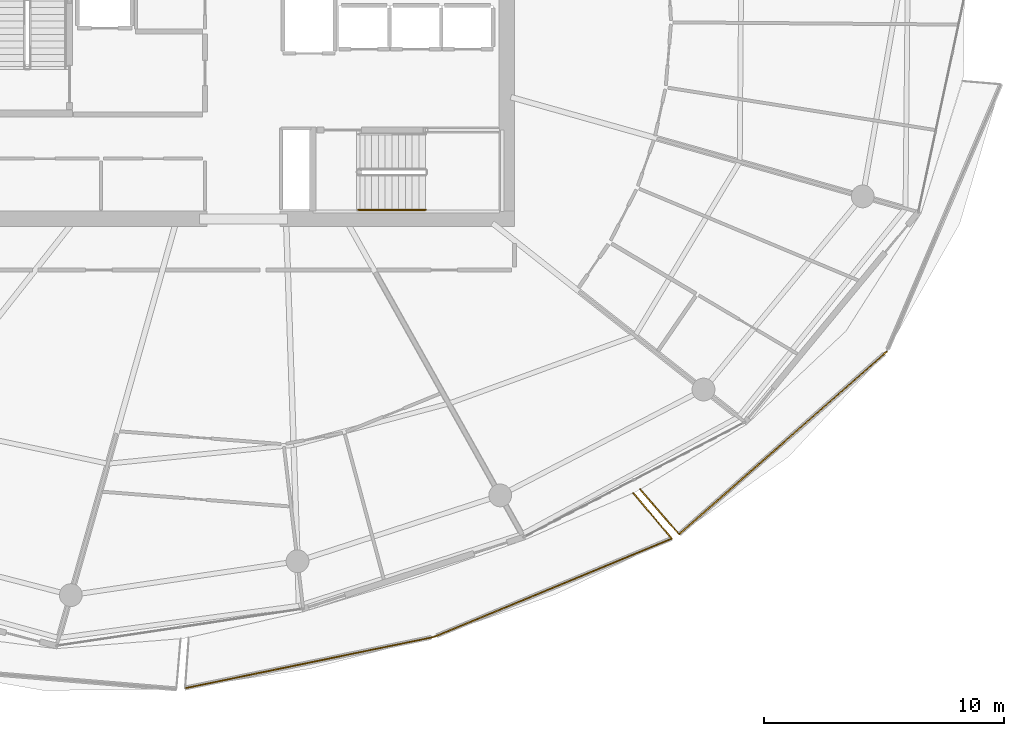
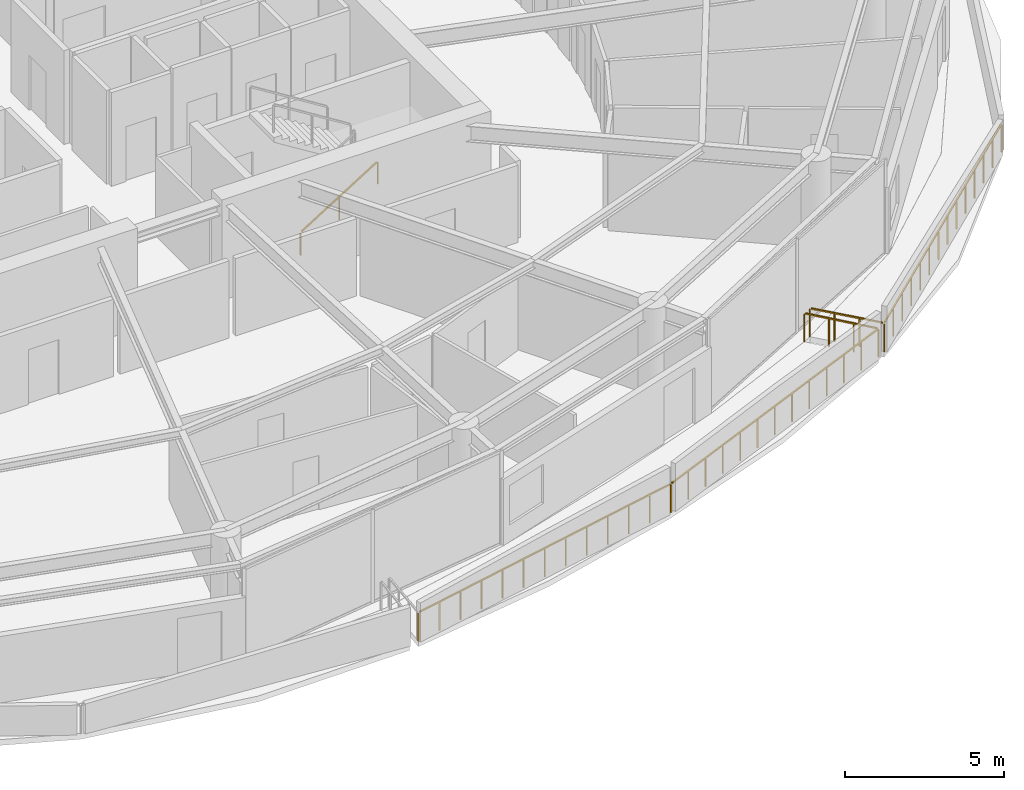
# One storey, part 27 of 31: 6 railings.
"""IFC4 building model written with IfcOpenShell, lengths in metres."""

from ifc_helpers import new_model, si_unit, direction, frame, origin, origin_2d, place, context, subcontext, project, spatial, rectangle, extrude, material, type_object, element, save


model = new_model("IFC4")

# Units and contexts
model_context = context("Model", 3, precision=1e-05, world=origin(), true_north=direction((0.0, 1.0)))
body_context = subcontext(model_context, "Body", "Model", "MODEL_VIEW")
ifc_project = project(units=[si_unit("LENGTHUNIT", "METRE"), si_unit("AREAUNIT", "SQUARE_METRE"), si_unit("VOLUMEUNIT", "CUBIC_METRE"), si_unit("PLANEANGLEUNIT", "RADIAN"), si_unit("MASSUNIT", "GRAM", prefix="KILO")], contexts=[model_context])

# Site, building, storey
site_placement = place(None, origin())
site = spatial("IfcSite", under=ifc_project, at=site_placement, CompositionType="ELEMENT")
building_placement = place(site_placement, origin())
building = spatial("IfcBuilding", under=site, at=building_placement, Name="Kazma Halo Residences", CompositionType="ELEMENT")
storey_placement = place(building_placement, frame((0.0, 0.0, 259.800048828125)))
storey = spatial("IfcBuildingStorey", under=building, at=storey_placement, Name="L65", CompositionType="ELEMENT", Elevation=259.800048828125)

# Railings
ifc_material_1 = material(Name="Aluminium AW-6063 T6 Brushed Cap Rail", Category="aluminium")
railing_type_1 = type_object("IfcRailingType", Name="RLG-BAL-CAP-1120", PredefinedType="BALUSTRADE", material=ifc_material_1)
railing_1_placement = place(storey_placement, frame((45.97900390625, 14.14453125, 0.0)))
element("IfcRailing", 1, at=railing_1_placement, inside=storey, type_object=railing_type_1, Name="L65 SSE wave balcony guard 2", PredefinedType="BALUSTRADE", context=body_context, shape_type="SweptSolid", body=[
    extrude(rectangle(XDim=0.050048828125, YDim=0.050048828125, at=origin_2d()), frame((0.041748046875, 0.008544921875, 1.09521484375), z_axis=(0.979468151895, 0.2015989569, 0.0), x_axis=(-0.2015989569, 0.979468151895, 0.0)), (0.0, 0.0, 1.0), 10.51025390625),
    extrude(rectangle(XDim=0.0400390625, YDim=0.0400390625, at=origin_2d()), origin(), (0.0, 0.0, 1.0), 1.05810546875),
    extrude(rectangle(XDim=0.0400390625, YDim=0.0400390625, at=origin_2d()), frame((0.86474609375, 0.177978515625, 0.0)), (0.0, 0.0, 1.0), 1.05810546875),
    extrude(rectangle(XDim=0.0400390625, YDim=0.0400390625, at=origin_2d()), frame((1.7294921875, 0.35595703125, 0.0)), (0.0, 0.0, 1.0), 1.05810546875),
    extrude(rectangle(XDim=0.0400390625, YDim=0.0400390625, at=origin_2d()), frame((2.594482421875, 0.533935546875, 0.0)), (0.0, 0.0, 1.0), 1.05810546875),
    extrude(rectangle(XDim=0.0400390625, YDim=0.0400390625, at=origin_2d()), frame((3.459228515625, 0.7119140625, 0.0)), (0.0, 0.0, 1.0), 1.05810546875),
    extrude(rectangle(XDim=0.0400390625, YDim=0.0400390625, at=origin_2d()), frame((4.323974609375, 0.889892578125, 0.0)), (0.0, 0.0, 1.0), 1.05810546875),
    extrude(rectangle(XDim=0.0400390625, YDim=0.0400390625, at=origin_2d()), frame((5.18896484375, 1.06787109375, 0.0)), (0.0, 0.0, 1.0), 1.05810546875),
    extrude(rectangle(XDim=0.0400390625, YDim=0.0400390625, at=origin_2d()), frame((6.0537109375, 1.24609375, 0.0)), (0.0, 0.0, 1.0), 1.05810546875),
    extrude(rectangle(XDim=0.0400390625, YDim=0.0400390625, at=origin_2d()), frame((6.91845703125, 1.424072265625, 0.0)), (0.0, 0.0, 1.0), 1.05810546875),
    extrude(rectangle(XDim=0.0400390625, YDim=0.0400390625, at=origin_2d()), frame((7.783203125, 1.60205078125, 0.0)), (0.0, 0.0, 1.0), 1.05810546875),
    extrude(rectangle(XDim=0.0400390625, YDim=0.0400390625, at=origin_2d()), frame((8.64794921875, 1.780029296875, 0.0)), (0.0, 0.0, 1.0), 1.05810546875),
    extrude(rectangle(XDim=0.0400390625, YDim=0.0400390625, at=origin_2d()), frame((9.512939453125, 1.9580078125, 0.0)), (0.0, 0.0, 1.0), 1.05810546875),
    extrude(rectangle(XDim=0.0400390625, YDim=0.0400390625, at=origin_2d()), frame((10.377685546875, 2.135986328125, 0.0)), (0.0, 0.0, 1.0), 1.05810546875),
])
railing_2_placement = place(storey_placement, frame((56.356689453125, 16.280517578125, 0.0)))
element("IfcRailing", 2, at=railing_2_placement, inside=storey, type_object=railing_type_1, Name="L65 SSE wave balcony guard 3", PredefinedType="BALUSTRADE", context=body_context, shape_type="SweptSolid", body=[
    extrude(rectangle(XDim=0.050048828125, YDim=0.050048828125, at=origin_2d()), frame((0.039306640625, 0.016357421875, 1.09521484375), z_axis=(0.923952054483, 0.382508301892, 0.0), x_axis=(-0.382508301892, 0.923952054483, 0.0)), (0.0, 0.0, 1.0), 10.615478515625),
    extrude(rectangle(XDim=0.0400390625, YDim=0.0400390625, at=origin_2d()), origin(), (0.0, 0.0, 1.0), 1.05810546875),
    extrude(rectangle(XDim=0.0400390625, YDim=0.0400390625, at=origin_2d()), frame((0.823974609375, 0.341064453125, 0.0)), (0.0, 0.0, 1.0), 1.05810546875),
    extrude(rectangle(XDim=0.0400390625, YDim=0.0400390625, at=origin_2d()), frame((1.647705078125, 0.68212890625, 0.0)), (0.0, 0.0, 1.0), 1.05810546875),
    extrude(rectangle(XDim=0.0400390625, YDim=0.0400390625, at=origin_2d()), frame((2.4716796875, 1.023193359375, 0.0)), (0.0, 0.0, 1.0), 1.05810546875),
    extrude(rectangle(XDim=0.0400390625, YDim=0.0400390625, at=origin_2d()), frame((3.295654296875, 1.3642578125, 0.0)), (0.0, 0.0, 1.0), 1.05810546875),
    extrude(rectangle(XDim=0.0400390625, YDim=0.0400390625, at=origin_2d()), frame((4.119384765625, 1.705322265625, 0.0)), (0.0, 0.0, 1.0), 1.05810546875),
    extrude(rectangle(XDim=0.0400390625, YDim=0.0400390625, at=origin_2d()), frame((4.943359375, 2.04638671875, 0.0)), (0.0, 0.0, 1.0), 1.05810546875),
    extrude(rectangle(XDim=0.0400390625, YDim=0.0400390625, at=origin_2d()), frame((5.767333984375, 2.3876953125, 0.0)), (0.0, 0.0, 1.0), 1.05810546875),
    extrude(rectangle(XDim=0.0400390625, YDim=0.0400390625, at=origin_2d()), frame((6.591064453125, 2.728759765625, 0.0)), (0.0, 0.0, 1.0), 1.05810546875),
    extrude(rectangle(XDim=0.0400390625, YDim=0.0400390625, at=origin_2d()), frame((7.4150390625, 3.06982421875, 0.0)), (0.0, 0.0, 1.0), 1.05810546875),
    extrude(rectangle(XDim=0.0400390625, YDim=0.0400390625, at=origin_2d()), frame((8.239013671875, 3.410888671875, 0.0)), (0.0, 0.0, 1.0), 1.05810546875),
    extrude(rectangle(XDim=0.0400390625, YDim=0.0400390625, at=origin_2d()), frame((9.062744140625, 3.751953125, 0.0)), (0.0, 0.0, 1.0), 1.05810546875),
    extrude(rectangle(XDim=0.0400390625, YDim=0.0400390625, at=origin_2d()), frame((9.88671875, 4.093017578125, 0.0)), (0.0, 0.0, 1.0), 1.05810546875),
])
railing_3_placement = place(storey_placement, frame((66.243408203125, 20.37353515625, 0.0)))
element("IfcRailing", 3, at=railing_3_placement, inside=storey, type_object=railing_type_1, Name="L65 SSE wave balcony guard 4", PredefinedType="BALUSTRADE", context=body_context, shape_type="SweptSolid", body=[
    extrude(rectangle(XDim=0.050048828125, YDim=0.050048828125, at=origin_2d()), frame((-0.02734375, 0.032470703125, 1.09521484375), z_axis=(-0.644811625636, 0.764341525396, 0.0), x_axis=(-0.764341525396, -0.644811625636, 0.0)), (0.0, 0.0, 1.0), 2.39453125),
    extrude(rectangle(XDim=0.0400390625, YDim=0.0400390625, at=origin_2d()), origin(), (0.0, 0.0, 1.0), 1.05810546875),
    extrude(rectangle(XDim=0.0400390625, YDim=0.0400390625, at=origin_2d()), frame((-0.532958984375, 0.6318359375, 0.0)), (0.0, 0.0, 1.0), 1.05810546875),
    extrude(rectangle(XDim=0.0400390625, YDim=0.0400390625, at=origin_2d()), frame((-1.06591796875, 1.263427734375, 0.0)), (0.0, 0.0, 1.0), 1.05810546875),
    extrude(rectangle(XDim=0.0400390625, YDim=0.0400390625, at=origin_2d()), frame((-1.598876953125, 1.895263671875, 0.0)), (0.0, 0.0, 1.0), 1.05810546875),
])
railing_4_placement = place(storey_placement, frame((64.93212890625, 22.41845703125, 0.0)))
element("IfcRailing", 4, at=railing_4_placement, inside=storey, type_object=railing_type_1, Name="L65 SE wave balcony guard 1", PredefinedType="BALUSTRADE", context=body_context, shape_type="SweptSolid", body=[
    extrude(rectangle(XDim=0.050048828125, YDim=0.050048828125, at=origin_2d()), frame((0.02783203125, -0.0322265625, 1.09521484375), z_axis=(0.654072490965, -0.756431871726, 0.0), x_axis=(0.756431871726, 0.654072490965, 0.0)), (0.0, 0.0, 1.0), 2.385986328125),
    extrude(rectangle(XDim=0.0400390625, YDim=0.0400390625, at=origin_2d()), origin(), (0.0, 0.0, 1.0), 1.05810546875),
    extrude(rectangle(XDim=0.0400390625, YDim=0.0400390625, at=origin_2d()), frame((0.538818359375, -0.623046875, 0.0)), (0.0, 0.0, 1.0), 1.05810546875),
    extrude(rectangle(XDim=0.0400390625, YDim=0.0400390625, at=origin_2d()), frame((1.077392578125, -1.24609375, 0.0)), (0.0, 0.0, 1.0), 1.05810546875),
    extrude(rectangle(XDim=0.0400390625, YDim=0.0400390625, at=origin_2d()), frame((1.6162109375, -1.869140625, 0.0)), (0.0, 0.0, 1.0), 1.05810546875),
])
railing_5_placement = place(storey_placement, frame((66.54833984375, 20.54931640625, 0.0)))
element("IfcRailing", 5, at=railing_5_placement, inside=storey, type_object=railing_type_1, Name="L65 SE wave balcony guard 2", PredefinedType="BALUSTRADE", context=body_context, shape_type="SweptSolid", body=[
    extrude(rectangle(XDim=0.050048828125, YDim=0.050048828125, at=origin_2d()), frame((0.031982421875, 0.028076171875, 1.09521484375), z_axis=(0.750910075064, 0.660404466344, 0.0), x_axis=(-0.660404466344, 0.750910075064, 0.0)), (0.0, 0.0, 1.0), 11.419921875),
    extrude(rectangle(XDim=0.0400390625, YDim=0.0400390625, at=origin_2d()), origin(), (0.0, 0.0, 1.0), 1.05810546875),
    extrude(rectangle(XDim=0.0400390625, YDim=0.0400390625, at=origin_2d()), frame((0.66455078125, 0.58447265625, 0.0)), (0.0, 0.0, 1.0), 1.05810546875),
    extrude(rectangle(XDim=0.0400390625, YDim=0.0400390625, at=origin_2d()), frame((1.3291015625, 1.1689453125, 0.0)), (0.0, 0.0, 1.0), 1.05810546875),
    extrude(rectangle(XDim=0.0400390625, YDim=0.0400390625, at=origin_2d()), frame((1.99365234375, 1.75341796875, 0.0)), (0.0, 0.0, 1.0), 1.05810546875),
    extrude(rectangle(XDim=0.0400390625, YDim=0.0400390625, at=origin_2d()), frame((2.658203125, 2.337890625, 0.0)), (0.0, 0.0, 1.0), 1.05810546875),
    extrude(rectangle(XDim=0.0400390625, YDim=0.0400390625, at=origin_2d()), frame((3.32275390625, 2.92236328125, 0.0)), (0.0, 0.0, 1.0), 1.05810546875),
    extrude(rectangle(XDim=0.0400390625, YDim=0.0400390625, at=origin_2d()), frame((3.9873046875, 3.5068359375, 0.0)), (0.0, 0.0, 1.0), 1.05810546875),
    extrude(rectangle(XDim=0.0400390625, YDim=0.0400390625, at=origin_2d()), frame((4.65185546875, 4.091064453125, 0.0)), (0.0, 0.0, 1.0), 1.05810546875),
    extrude(rectangle(XDim=0.0400390625, YDim=0.0400390625, at=origin_2d()), frame((5.31640625, 4.675537109375, 0.0)), (0.0, 0.0, 1.0), 1.05810546875),
    extrude(rectangle(XDim=0.0400390625, YDim=0.0400390625, at=origin_2d()), frame((5.98095703125, 5.260009765625, 0.0)), (0.0, 0.0, 1.0), 1.05810546875),
    extrude(rectangle(XDim=0.0400390625, YDim=0.0400390625, at=origin_2d()), frame((6.6455078125, 5.844482421875, 0.0)), (0.0, 0.0, 1.0), 1.05810546875),
    extrude(rectangle(XDim=0.0400390625, YDim=0.0400390625, at=origin_2d()), frame((7.31005859375, 6.428955078125, 0.0)), (0.0, 0.0, 1.0), 1.05810546875),
    extrude(rectangle(XDim=0.0400390625, YDim=0.0400390625, at=origin_2d()), frame((7.974609375, 7.013427734375, 0.0)), (0.0, 0.0, 1.0), 1.05810546875),
    extrude(rectangle(XDim=0.0400390625, YDim=0.0400390625, at=origin_2d()), frame((8.63916015625, 7.597900390625, 0.0)), (0.0, 0.0, 1.0), 1.05810546875),
])
ifc_material_2 = material(Name="Brushed Stainless Steel", Category="steel")
railing_type_2 = type_object("IfcRailingType", Name="RLG-STAIR-HND-900", PredefinedType="HANDRAIL", material=ifc_material_2)
railing_6_placement = place(storey_placement, frame((53.199951171875, 34.050048828125, 0.175048828125)))
element("IfcRailing", 6, at=railing_6_placement, inside=storey, type_object=railing_type_2, Name="L65 ST-03 stair handrail 1", PredefinedType="HANDRAIL", context=body_context, shape_type="SweptSolid", body=[
    extrude(rectangle(XDim=0.050048828125, YDim=0.050048828125, at=origin_2d()), frame((0.0361328125, 0.0, 0.8974609375), z_axis=(0.848002457836, 0.0, 0.529992293815), x_axis=(0.0, 1.0, 0.0)), (0.0, 0.0, 1.0), 3.216796875),
    extrude(rectangle(XDim=0.0400390625, YDim=0.0400390625, at=origin_2d()), origin(), (0.0, 0.0, 1.0), 0.837890625),
    extrude(rectangle(XDim=0.0400390625, YDim=0.0400390625, at=origin_2d()), frame((1.39990234375, 0.0, 0.875)), (0.0, 0.0, 1.0), 0.837890625),
    extrude(rectangle(XDim=0.0400390625, YDim=0.0400390625, at=origin_2d()), frame((2.800048828125, 0.0, 1.75)), (0.0, 0.0, 1.0), 0.837890625),
])

save(model, "model.ifc")
